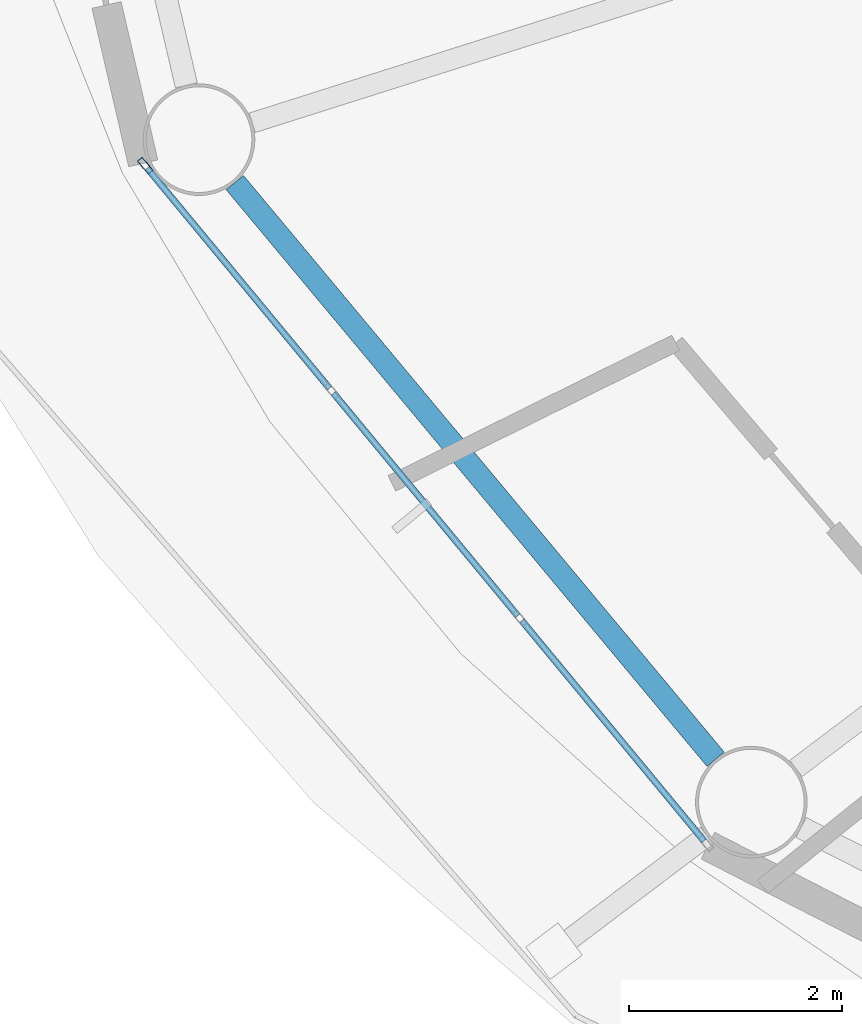
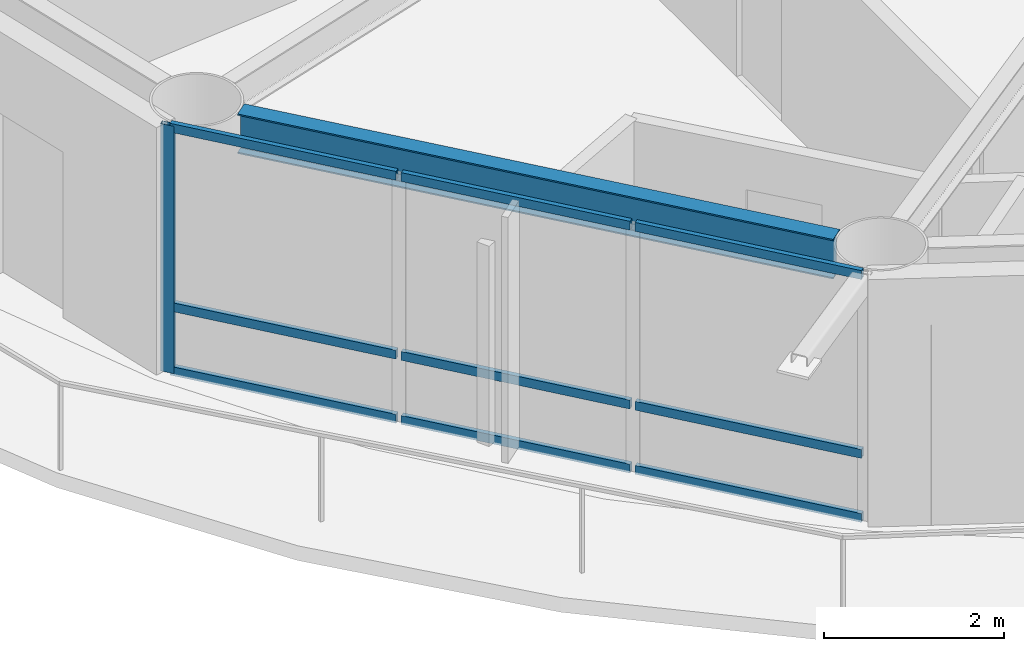
# One storey, part 3 of 23: 10 members, 1 beam, 1 element without a shape of its own.
"""IFC4 building model written with IfcOpenShell, lengths in metres."""

from ifc_helpers import new_model, si_unit, direction, frame, origin, origin_2d, place, context, subcontext, project, spatial, hollow_rectangle, i_section, extrude, material, layer, layer_set, material_profile, profile_set, type_object, element, aggregate, save


model = new_model("IFC4")

# Units and contexts
model_context = context("Model", 3, precision=1e-05, world=origin(), true_north=direction((0.0, 1.0)))
body_context = subcontext(model_context, "Body", "Model", "MODEL_VIEW")
ifc_project = project(units=[si_unit("LENGTHUNIT", "METRE"), si_unit("AREAUNIT", "SQUARE_METRE"), si_unit("VOLUMEUNIT", "CUBIC_METRE"), si_unit("PLANEANGLEUNIT", "RADIAN"), si_unit("MASSUNIT", "GRAM", prefix="KILO")], contexts=[model_context])

# Site, building, storey
site_placement = place(None, origin())
site = spatial("IfcSite", under=ifc_project, at=site_placement, CompositionType="ELEMENT")
building_placement = place(site_placement, origin())
building = spatial("IfcBuilding", under=site, at=building_placement, Name="Sarneth Arch Tower", CompositionType="ELEMENT")
storey_placement = place(building_placement, frame((0.0, 0.0, 249.60009765625)))
storey = spatial("IfcBuildingStorey", under=building, at=storey_placement, Name="L64", CompositionType="ELEMENT", Elevation=249.60009765625)

# Beam
ifc_material_1 = material(Name="Steel S355", Category="steel")
ifc_material_profile_1 = material_profile(ifc_material_1, i_section(OverallWidth=0.2109375, OverallDepth=0.5390625, WebThickness=0.01171875, FlangeThickness=0.018798828125, FilletRadius=0.01806640625, at=origin_2d()), Name="W530x109")
ifc_profile_set_1 = profile_set([ifc_material_profile_1], Name="Steel S355")
beam_type = type_object("IfcBeamType", Name="BM-RAD-530B", PredefinedType="BEAM", material=ifc_profile_set_1)
beam_placement = place(storey_placement, frame((25.16748046875, 34.249267578125, 3.09033203125), z_axis=(0.640364654985, -0.76807103099, 0.0), x_axis=(0.76807103099, 0.640364654985, 0.0)))
element("IfcBeam", 1, at=beam_placement, inside=storey, type_object=beam_type, Name="L64 Perimeter spandrel beam 10", PredefinedType="BEAM", context=body_context, shape_type="SweptSolid", body=[
    extrude(i_section(OverallWidth=0.2109375, OverallDepth=0.5390625, WebThickness=0.01171875, FlangeThickness=0.018798828125, FilletRadius=0.01806640625, at=origin_2d()), origin(), (0.0, 0.0, 1.0), 7.06005859375),
])

# Curtain wall, members
ifc_material_2 = material(Name="Anodised aluminium Type AA25 and solar-control low-e laminated IGU", Category="aluminium")
ifc_layer = layer(ifc_material_2, 0.179931640625)
ifc_layer_set = layer_set([ifc_layer], Name="Anodised aluminium Type AA25 and solar-control low-e laminated IGU")
curtain_wall_type = type_object("IfcCurtainWallType", Name="CW-RES-HIGH", PredefinedType="NOTDEFINED", material=ifc_layer_set)
curtain_wall_placement = place(storey_placement, origin())
curtain_wall = element("IfcCurtainWall", 2, at=curtain_wall_placement, inside=storey, type_object=curtain_wall_type, Name="L64 Unitised curtain wall facet 10", PredefinedType="NOTDEFINED")
ifc_material_3 = material(Name="Anodised Aluminium 6063-T6", Category="aluminium")
ifc_material_profile_2 = material_profile(ifc_material_3, hollow_rectangle(XDim=0.06005859375, YDim=0.159912109375, WallThickness=0.00390625, at=origin_2d()), Name="AL-MULL-160x60x4")
ifc_profile_set_2 = profile_set([ifc_material_profile_2], Name="Anodised Aluminium 6063-T6")
member_type_1 = type_object("IfcMemberType", Name="CW-MULLION", PredefinedType="MULLION", material=ifc_profile_set_2)
member_1_placement = place(storey_placement, frame((24.325439453125, 34.407470703125, 0.0), z_axis=(0.0, 0.0, 1.0), x_axis=(0.770359245933, 0.637610094184, 0.0)))
member_1 = element("IfcMember", 3, at=member_1_placement, type_object=member_type_1, Name="CW-SYS-6 mullion 1", PredefinedType="MULLION", context=body_context, shape_type="SweptSolid", body=[
    extrude(hollow_rectangle(XDim=0.06005859375, YDim=0.159912109375, WallThickness=0.00390625, at=origin_2d()), origin(), (0.0, 0.0, 1.0), 3.35986328125),
])
ifc_material_4 = material(Name="Anodised Aluminium 6063-T6", Category="aluminium")
ifc_material_profile_3 = material_profile(ifc_material_4, hollow_rectangle(XDim=0.06005859375, YDim=0.1201171875, WallThickness=0.00390625, at=origin_2d()), Name="AL-TRAN-120x60x4")
ifc_profile_set_3 = profile_set([ifc_material_profile_3], Name="Anodised Aluminium 6063-T6")
member_type_2 = type_object("IfcMemberType", Name="CW-TRANSOM", PredefinedType="USERDEFINED", material=ifc_profile_set_3)
member_2_placement = place(storey_placement, frame((24.344482421875, 34.38427734375, 0.02978515625), z_axis=(0.637651400067, -0.770325056059, 0.0), x_axis=(0.770325056059, 0.637651400067, 0.0)))
member_2 = element("IfcMember", 4, at=member_2_placement, type_object=member_type_2, Name="CW-SYS-6 transom 1.1", ObjectType="TRANSOM", PredefinedType="USERDEFINED", context=body_context, shape_type="SweptSolid", body=[
    extrude(hollow_rectangle(XDim=0.06005859375, YDim=0.1201171875, WallThickness=0.00390625, at=origin_2d()), origin(), (0.0, 0.0, 1.0), 2.6865234375),
])
member_3_placement = place(storey_placement, frame((24.344482421875, 34.38427734375, 0.89990234375), z_axis=(0.637651400067, -0.770325056059, 0.0), x_axis=(0.770325056059, 0.637651400067, 0.0)))
member_3 = element("IfcMember", 5, at=member_3_placement, type_object=member_type_2, Name="CW-SYS-6 transom 1.2", ObjectType="TRANSOM", PredefinedType="USERDEFINED", context=body_context, shape_type="SweptSolid", body=[
    extrude(hollow_rectangle(XDim=0.06005859375, YDim=0.1201171875, WallThickness=0.00390625, at=origin_2d()), origin(), (0.0, 0.0, 1.0), 2.6865234375),
])
member_4_placement = place(storey_placement, frame((24.344482421875, 34.38427734375, 3.329833984375), z_axis=(0.637651400067, -0.770325056059, 0.0), x_axis=(0.770325056059, 0.637651400067, 0.0)))
member_4 = element("IfcMember", 6, at=member_4_placement, type_object=member_type_2, Name="CW-SYS-6 transom 1.3", ObjectType="TRANSOM", PredefinedType="USERDEFINED", context=body_context, shape_type="SweptSolid", body=[
    extrude(hollow_rectangle(XDim=0.06005859375, YDim=0.1201171875, WallThickness=0.00390625, at=origin_2d()), origin(), (0.0, 0.0, 1.0), 2.6865234375),
])
member_5_placement = place(storey_placement, frame((26.095703125, 32.268310546875, 0.02978515625), z_axis=(0.637617371902, -0.770353222261, 0.0), x_axis=(0.770353222261, 0.637617371902, 0.0)))
member_5 = element("IfcMember", 7, at=member_5_placement, type_object=member_type_2, Name="CW-SYS-6 transom 2.1", ObjectType="TRANSOM", PredefinedType="USERDEFINED", context=body_context, shape_type="SweptSolid", body=[
    extrude(hollow_rectangle(XDim=0.06005859375, YDim=0.1201171875, WallThickness=0.00390625, at=origin_2d()), origin(), (0.0, 0.0, 1.0), 2.716552734375),
])
member_6_placement = place(storey_placement, frame((26.095703125, 32.268310546875, 0.89990234375), z_axis=(0.637617371902, -0.770353222261, 0.0), x_axis=(0.770353222261, 0.637617371902, 0.0)))
member_6 = element("IfcMember", 8, at=member_6_placement, type_object=member_type_2, Name="CW-SYS-6 transom 2.2", ObjectType="TRANSOM", PredefinedType="USERDEFINED", context=body_context, shape_type="SweptSolid", body=[
    extrude(hollow_rectangle(XDim=0.06005859375, YDim=0.1201171875, WallThickness=0.00390625, at=origin_2d()), origin(), (0.0, 0.0, 1.0), 2.716552734375),
])
member_7_placement = place(storey_placement, frame((26.095703125, 32.268310546875, 3.329833984375), z_axis=(0.637617371902, -0.770353222261, 0.0), x_axis=(0.770353222261, 0.637617371902, 0.0)))
member_7 = element("IfcMember", 9, at=member_7_placement, type_object=member_type_2, Name="CW-SYS-6 transom 2.3", ObjectType="TRANSOM", PredefinedType="USERDEFINED", context=body_context, shape_type="SweptSolid", body=[
    extrude(hollow_rectangle(XDim=0.06005859375, YDim=0.1201171875, WallThickness=0.00390625, at=origin_2d()), origin(), (0.0, 0.0, 1.0), 2.716552734375),
])
member_8_placement = place(storey_placement, frame((27.8662109375, 30.12939453125, 0.02978515625), z_axis=(0.637606765719, -0.770362000821, 0.0), x_axis=(0.770362000821, 0.637606765719, 0.0)))
member_8 = element("IfcMember", 10, at=member_8_placement, type_object=member_type_2, Name="CW-SYS-6 transom 3.1", ObjectType="TRANSOM", PredefinedType="USERDEFINED", context=body_context, shape_type="SweptSolid", body=[
    extrude(hollow_rectangle(XDim=0.06005859375, YDim=0.1201171875, WallThickness=0.00390625, at=origin_2d()), origin(), (0.0, 0.0, 1.0), 2.686767578125),
])
member_9_placement = place(storey_placement, frame((27.8662109375, 30.12939453125, 0.89990234375), z_axis=(0.637606765719, -0.770362000821, 0.0), x_axis=(0.770362000821, 0.637606765719, 0.0)))
member_9 = element("IfcMember", 11, at=member_9_placement, type_object=member_type_2, Name="CW-SYS-6 transom 3.2", ObjectType="TRANSOM", PredefinedType="USERDEFINED", context=body_context, shape_type="SweptSolid", body=[
    extrude(hollow_rectangle(XDim=0.06005859375, YDim=0.1201171875, WallThickness=0.00390625, at=origin_2d()), origin(), (0.0, 0.0, 1.0), 2.686767578125),
])
member_10_placement = place(storey_placement, frame((27.8662109375, 30.12939453125, 3.329833984375), z_axis=(0.637606765719, -0.770362000821, 0.0), x_axis=(0.770362000821, 0.637606765719, 0.0)))
member_10 = element("IfcMember", 12, at=member_10_placement, type_object=member_type_2, Name="CW-SYS-6 transom 3.3", ObjectType="TRANSOM", PredefinedType="USERDEFINED", context=body_context, shape_type="SweptSolid", body=[
    extrude(hollow_rectangle(XDim=0.06005859375, YDim=0.1201171875, WallThickness=0.00390625, at=origin_2d()), origin(), (0.0, 0.0, 1.0), 2.686767578125),
])
aggregate(curtain_wall, [member_1, member_2, member_3, member_4, member_5, member_6, member_7, member_8, member_9, member_10])

save(model, "model.ifc")
